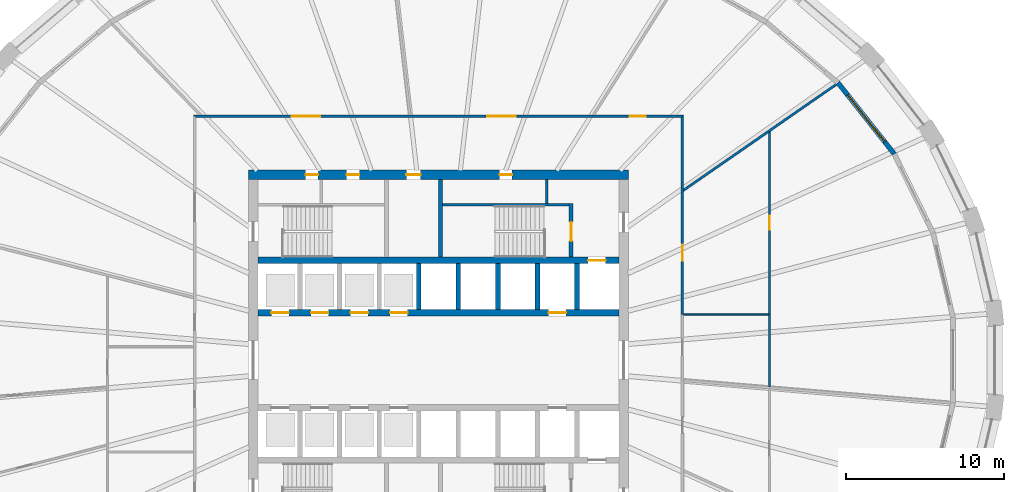
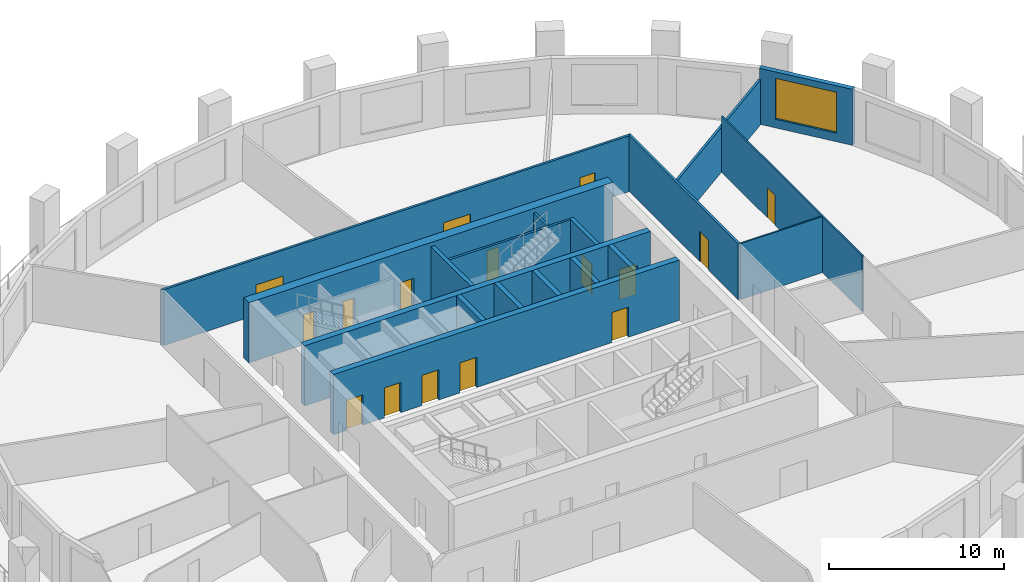
# One storey, part 6 of 10: 18 walls, 16 doors, 1 window, 17 openings.
"""IFC4 building model written with IfcOpenShell, lengths in metres."""

from ifc_helpers import new_model, si_unit, direction, frame, frame_2d, origin, place, context, subcontext, project, spatial, polyline, rectangle, outline, extrude, material, layer, layer_set, type_object, element, fill, save


model = new_model("IFC4")

# Units and contexts
model_context = context("Model", 3, precision=1e-05, world=origin(), true_north=direction((0.0, 1.0)))
body_context = subcontext(model_context, "Body", "Model", "MODEL_VIEW")
ifc_project = project(units=[si_unit("LENGTHUNIT", "METRE"), si_unit("AREAUNIT", "SQUARE_METRE"), si_unit("VOLUMEUNIT", "CUBIC_METRE"), si_unit("PLANEANGLEUNIT", "RADIAN"), si_unit("MASSUNIT", "GRAM", prefix="KILO")], contexts=[model_context])

# Site, building, storey
site_placement = place(None, origin())
site = spatial("IfcSite", under=ifc_project, at=site_placement, CompositionType="ELEMENT")
building_placement = place(site_placement, origin())
building = spatial("IfcBuilding", under=site, at=building_placement, Name="Halqa Exchange Tower", CompositionType="ELEMENT")
storey_placement = place(building_placement, frame((0.0, 0.0, 108.699951171875)))
storey = spatial("IfcBuildingStorey", under=building, at=storey_placement, Name="L24", CompositionType="ELEMENT", Elevation=108.699951171875)

# Wall, openings, doors
ifc_material_1 = material(Name="Fire-rated gypsum board")
ifc_layer_1 = layer(ifc_material_1, 0.14990234375)
ifc_layer_set_1 = layer_set([ifc_layer_1], Name="Fire-rated gypsum board")
wall_type_1 = type_object("IfcWallType", Name="Fire partition EI 60 150", PredefinedType="PARTITIONING", material=ifc_layer_set_1)
wall_1_placement = place(storey_placement, frame((-15.47509765625, 15.39990234375, 0.0), z_axis=(0.0, 0.0, 1.0), x_axis=(1.0, 0.0, 0.0)))
wall_1 = element("IfcWall", 1, at=wall_1_placement, inside=storey, type_object=wall_type_1, Name="L24-PWL-010", PredefinedType="PARTITIONING", context=body_context, shape_type="SweptSolid", body=[
    extrude(outline(polyline([(0.150146484375, -0.074951171875), (2.065673828125, -0.074951171875), (3.9814453125, -0.074951171875), (5.89697265625, -0.074951171875), (7.8125, -0.074951171875), (9.728271484375, -0.074951171875), (11.643798828125, -0.074951171875), (13.5595703125, -0.074951171875), (15.47509765625, -0.074951171875), (17.390625, -0.074951171875), (19.306396484375, -0.074951171875), (21.221923828125, -0.074951171875), (23.1376953125, -0.074951171875), (25.05322265625, -0.074951171875), (26.96875, -0.074951171875), (28.884521484375, -0.074951171875), (30.800048828125, -0.074951171875), (30.949951171875, 0.074951171875), (29.015625, 0.074951171875), (27.081298828125, 0.074951171875), (25.14697265625, 0.074951171875), (23.21240234375, 0.074951171875), (21.278076171875, 0.074951171875), (19.34375, 0.074951171875), (17.409423828125, 0.074951171875), (15.47509765625, 0.074951171875), (13.540771484375, 0.074951171875), (11.6064453125, 0.074951171875), (9.672119140625, 0.074951171875), (7.73779296875, 0.074951171875), (5.80322265625, 0.074951171875), (3.868896484375, 0.074951171875), (1.9345703125, 0.074951171875), (0.000244140625, 0.074951171875), (0.150146484375, -0.074951171875)])), origin(), (0.0, 0.0, 1.0), 3.900146484375),
])
opening_1_placement = place(wall_1_placement, frame((27.544921875, 0.0, 0.0)))
opening_1 = element("IfcOpeningElement", 2, at=opening_1_placement, cuts=wall_1, Name="Opening 07-01", PredefinedType="OPENING", context=body_context, shape_type="SweptSolid", body=[
    extrude(rectangle(XDim=1.0, YDim=2.10009765625, at=frame_2d((0.5, 1.050048828125))), frame((0.0, 0.0869140625, 0.0), z_axis=(0.0, -1.0, 0.0), x_axis=(1.0, 0.0, 0.0)), (0.0, 0.0, 1.0), 0.173828125),
])
opening_2_placement = place(wall_1_placement, frame((18.544921875, 0.0, 0.0)))
opening_2 = element("IfcOpeningElement", 3, at=opening_2_placement, cuts=wall_1, Name="Opening 07-02", PredefinedType="OPENING", context=body_context, shape_type="SweptSolid", body=[
    extrude(rectangle(XDim=1.800048828125, YDim=2.10009765625, at=frame_2d((0.89990234375, 1.050048828125))), frame((0.0, 0.0869140625, 0.0), z_axis=(0.0, -1.0, 0.0), x_axis=(1.0, 0.0, 0.0)), (0.0, 0.0, 1.0), 0.173828125),
])
opening_3_placement = place(wall_1_placement, frame((6.195068359375, 0.0, 0.0)))
opening_3 = element("IfcOpeningElement", 4, at=opening_3_placement, cuts=wall_1, Name="Opening 07-03", PredefinedType="OPENING", context=body_context, shape_type="SweptSolid", body=[
    extrude(rectangle(XDim=1.800048828125, YDim=2.10009765625, at=frame_2d((0.89990234375, 1.050048828125))), frame((0.0, 0.0869140625, 0.0), z_axis=(0.0, -1.0, 0.0), x_axis=(1.0, 0.0, 0.0)), (0.0, 0.0, 1.0), 0.173828125),
])
ifc_material_2 = material(Name="Steel fire door leaf", Category="steel")
door_type_1 = type_object("IfcDoorType", Name="Fire door FD30S 1000 x 2100", OperationType="SINGLE_SWING_LEFT", PredefinedType="DOOR", material=ifc_material_2)
door_1_placement = place(opening_1_placement, origin())
door_1 = element("IfcDoor", 5, at=door_1_placement, inside=storey, type_object=door_type_1, Name="L24-IDR-001", OperationType="SINGLE_SWING_RIGHT", OverallHeight=2.10009765625, OverallWidth=1.0, PredefinedType="DOOR", context=body_context, shape_type="SweptSolid", body=[
    extrude(rectangle(XDim=1.0, YDim=2.10009765625, at=frame_2d((0.5, 1.050048828125))), frame((0.0, 0.02490234375, 0.0), z_axis=(0.0, -1.0, 0.0), x_axis=(1.0, 0.0, 0.0)), (0.0, 0.0, 1.0), 0.050048828125),
])
fill(opening_1, door_1)
door_type_2 = type_object("IfcDoorType", Name="Fire door FD30S double 1800 x 2100", OperationType="DOUBLE_DOOR_SINGLE_SWING", PredefinedType="DOOR", material=ifc_material_2)
door_2_placement = place(opening_2_placement, origin())
door_2 = element("IfcDoor", 6, at=door_2_placement, inside=storey, type_object=door_type_2, Name="L24-IDR-002", OperationType="DOUBLE_DOOR_SINGLE_SWING", OverallHeight=2.10009765625, OverallWidth=1.800048828125, PredefinedType="DOOR", context=body_context, shape_type="SweptSolid", body=[
    extrude(rectangle(XDim=1.800048828125, YDim=2.10009765625, at=frame_2d((0.89990234375, 1.050048828125))), frame((0.0, 0.02490234375, 0.0), z_axis=(0.0, -1.0, 0.0), x_axis=(1.0, 0.0, 0.0)), (0.0, 0.0, 1.0), 0.050048828125),
])
fill(opening_2, door_2)
door_3_placement = place(opening_3_placement, origin())
door_3 = element("IfcDoor", 7, at=door_3_placement, inside=storey, type_object=door_type_2, Name="L24-IDR-003", OperationType="DOUBLE_DOOR_SINGLE_SWING", OverallHeight=2.10009765625, OverallWidth=1.800048828125, PredefinedType="DOOR", context=body_context, shape_type="SweptSolid", body=[
    extrude(rectangle(XDim=1.800048828125, YDim=2.10009765625, at=frame_2d((0.89990234375, 1.050048828125))), frame((0.0, 0.02490234375, 0.0), z_axis=(0.0, -1.0, 0.0), x_axis=(1.0, 0.0, 0.0)), (0.0, 0.0, 1.0), 0.050048828125),
])
fill(opening_3, door_3)

# Wall, opening, door
wall_2_placement = place(storey_placement, frame((15.39990234375, 2.8798828125, 0.0), z_axis=(0.0, 0.0, 1.0), x_axis=(0.0, 1.0, 0.0)))
wall_2 = element("IfcWall", 8, at=wall_2_placement, inside=storey, type_object=wall_type_1, Name="L24-PWL-021", PredefinedType="PARTITIONING", context=body_context, shape_type="SweptSolid", body=[
    extrude(outline(polyline([(0.0, -0.074951171875), (1.79931640625, -0.074951171875), (3.5986328125, -0.074951171875), (5.39794921875, -0.074951171875), (7.197021484375, -0.074951171875), (8.996337890625, -0.074951171875), (10.795654296875, -0.074951171875), (12.594970703125, -0.074951171875), (12.445068359375, 0.074951171875), (10.667236328125, 0.074951171875), (8.889404296875, 0.074951171875), (7.111572265625, 0.074951171875), (5.33349609375, 0.074951171875), (3.5556640625, 0.074951171875), (1.77783203125, 0.074951171875), (0.0, 0.074951171875), (0.0, -0.074951171875)])), origin(), (0.0, 0.0, 1.0), 3.900146484375),
])
opening_4_placement = place(wall_2_placement, frame((3.39990234375, 0.0, 0.0)))
opening_4 = element("IfcOpeningElement", 9, at=opening_4_placement, cuts=wall_2, Name="Opening 07-14", PredefinedType="OPENING", context=body_context, shape_type="SweptSolid", body=[
    extrude(rectangle(XDim=1.0, YDim=2.10009765625, at=frame_2d((0.5, 1.050048828125))), frame((0.0, 0.0869140625, 0.0), z_axis=(0.0, -1.0, 0.0), x_axis=(1.0, 0.0, 0.0)), (0.0, 0.0, 1.0), 0.173828125),
])
door_4_placement = place(opening_4_placement, frame((1.0, 0.0, 0.0), z_axis=(0.0, 0.0, 1.0), x_axis=(-1.0, 0.0, 0.0)))
door_4 = element("IfcDoor", 10, at=door_4_placement, inside=storey, type_object=door_type_1, Name="L24-IDR-014", OperationType="SINGLE_SWING_RIGHT", OverallHeight=2.10009765625, OverallWidth=1.0, PredefinedType="DOOR", context=body_context, shape_type="SweptSolid", body=[
    extrude(rectangle(XDim=1.0, YDim=2.10009765625, at=frame_2d((0.5, 1.050048828125))), frame((0.0, 0.02490234375, 0.0), z_axis=(0.0, -1.0, 0.0), x_axis=(1.0, 0.0, 0.0)), (0.0, 0.0, 1.0), 0.050048828125),
])
fill(opening_4, door_4)

# Walls
wall_3_placement = place(storey_placement, frame((15.4326171875, 10.702392578125, 0.0), z_axis=(0.0, 0.0, 1.0), x_axis=(0.82202509952, 0.569451258458, 0.0)))
element("IfcWall", 11, at=wall_3_placement, inside=storey, type_object=wall_type_1, Name="L24-PWL-023", PredefinedType="PARTITIONING", context=body_context, shape_type="SweptSolid", body=[
    extrude(outline(polyline([(0.0, -0.074951171875), (1.634521484375, -0.074951171875), (3.269287109375, -0.074951171875), (4.90380859375, -0.074951171875), (6.538330078125, -0.074951171875), (6.540283203125, -0.072021484375), (6.54443359375, -0.074951171875), (8.291259765625, -0.074951171875), (10.0380859375, -0.074951171875), (11.784912109375, -0.074951171875), (11.784912109375, -0.071044921875), (11.7802734375, 0.002685546875), (11.7607421875, 0.074951171875), (9.81787109375, 0.074951171875), (7.875, 0.074951171875), (5.93212890625, 0.074951171875), (3.9892578125, 0.074951171875), (2.04638671875, 0.074951171875), (0.103515625, 0.074951171875), (0.0, -0.074462890625), (0.0, -0.074951171875)])), origin(), (0.0, 0.0, 1.0), 3.130126953125),
])
ifc_material_3 = material(Name="Gypsum board")
ifc_layer_2 = layer(ifc_material_3, 0.10009765625)
ifc_layer_set_2 = layer_set([ifc_layer_2], Name="Gypsum board")
wall_type_2 = type_object("IfcWallType", Name="Partition 100 gypsum", PredefinedType="PARTITIONING", material=ifc_layer_set_2)
wall_4_placement = place(storey_placement, frame((15.46044921875, 2.8798828125, 0.0), z_axis=(0.0, 0.0, 1.0), x_axis=(1.0, 0.0, 0.0)))
element("IfcWall", 12, at=wall_4_placement, inside=storey, type_object=wall_type_2, Name="L24-PWL-022", PredefinedType="PARTITIONING", context=body_context, shape_type="SweptSolid", body=[
    extrude(outline(polyline([(0.0, -0.050048828125), (1.796630859375, -0.050048828125), (3.593017578125, -0.050048828125), (5.3896484375, -0.050048828125), (5.3896484375, 0.050048828125), (3.597900390625, 0.050048828125), (1.80615234375, 0.050048828125), (0.0146484375, 0.050048828125), (0.0146484375, 0.0), (0.0, 0.0), (0.0, -0.050048828125)])), origin(), (0.0, 0.0, 1.0), 3.900146484375),
])

# Wall, opening, door
wall_5_placement = place(storey_placement, frame((20.89990234375, -1.66845703125, 0.0), z_axis=(0.0, 0.0, 1.0), x_axis=(0.0, 1.0, 0.0)))
wall_5 = element("IfcWall", 13, at=wall_5_placement, inside=storey, type_object=wall_type_2, Name="L24-PWL-025", PredefinedType="PARTITIONING", context=body_context, shape_type="SweptSolid", body=[
    extrude(outline(polyline([(16.1015625, -0.050048828125), (16.1015625, -0.0498046875), (16.032470703125, 0.050048828125), (14.126708984375, 0.050048828125), (12.22119140625, 0.050048828125), (10.3154296875, 0.050048828125), (8.409912109375, 0.050048828125), (6.504150390625, 0.050048828125), (4.598388671875, 0.050048828125), (4.598388671875, 0.0498046875), (4.49853515625, 0.0498046875), (4.49853515625, 0.050048828125), (3.001708984375, 0.050048828125), (1.505126953125, 0.050048828125), (0.00830078125, 0.050048828125), (0.0, -0.049072265625), (0.0, -0.050048828125), (1.7890625, -0.050048828125), (3.578125, -0.050048828125), (5.3671875, -0.050048828125), (7.15625, -0.050048828125), (8.9453125, -0.050048828125), (10.734375, -0.050048828125), (12.5234375, -0.050048828125), (14.3125, -0.050048828125), (16.1015625, -0.050048828125)])), origin(), (0.0, 0.0, 1.0), 3.900146484375),
])
opening_5_placement = place(wall_5_placement, frame((9.903564453125, 0.0, 0.0)))
opening_5 = element("IfcOpeningElement", 14, at=opening_5_placement, cuts=wall_5, Name="Opening 07-19", PredefinedType="OPENING", context=body_context, shape_type="SweptSolid", body=[
    extrude(rectangle(XDim=0.89990234375, YDim=2.10009765625, at=frame_2d((0.449951171875, 1.050048828125))), frame((0.0, 0.06201171875, 0.0), z_axis=(0.0, -1.0, 0.0), x_axis=(1.0, 0.0, 0.0)), (0.0, 0.0, 1.0), 0.1240234375),
])
ifc_material_4 = material(Name="Timber door leaf", Category="wood")
door_type_3 = type_object("IfcDoorType", Name="Door 900 x 2100", OperationType="SINGLE_SWING_LEFT", PredefinedType="DOOR", material=ifc_material_4)
door_5_placement = place(opening_5_placement, origin())
door_5 = element("IfcDoor", 15, at=door_5_placement, inside=storey, type_object=door_type_3, Name="L24-IDR-019", OperationType="SINGLE_SWING_RIGHT", OverallHeight=2.10009765625, OverallWidth=0.89990234375, PredefinedType="DOOR", context=body_context, shape_type="SweptSolid", body=[
    extrude(rectangle(XDim=0.89990234375, YDim=2.10009765625, at=frame_2d((0.449951171875, 1.050048828125))), frame((0.0, 0.02490234375, 0.0), z_axis=(0.0, -1.0, 0.0), x_axis=(1.0, 0.0, 0.0)), (0.0, 0.0, 1.0), 0.050048828125),
])
fill(opening_5, door_5)

# Walls
ifc_layer_3 = layer(ifc_material_3, 0.14990234375)
ifc_layer_set_3 = layer_set([ifc_layer_3], Name="Gypsum board")
wall_type_3 = type_object("IfcWallType", Name="Penthouse riser wall 150 gypsum", PredefinedType="PARTITIONING", material=ifc_layer_set_3)
wall_6_placement = place(storey_placement, frame((6.824951171875, 9.89990234375, 0.0), z_axis=(0.0, 0.0, 1.0), x_axis=(0.0, 1.0, 0.0)))
element("IfcWall", 16, at=wall_6_placement, inside=storey, type_object=wall_type_3, Name="Firefighting lobby west wall N", PredefinedType="PARTITIONING", context=body_context, shape_type="SweptSolid", body=[
    extrude(rectangle(XDim=1.5, YDim=0.14990234375, at=frame_2d((0.75, 0.0))), origin(), (0.0, 0.0, 1.0), 3.900146484375),
])
ifc_material_5 = material(Name="Concrete C60/75", Category="concrete")
ifc_layer_4 = layer(ifc_material_5, 0.300048828125)
ifc_layer_set_4 = layer_set([ifc_layer_4], Name="Concrete C60/75")
wall_type_4 = type_object("IfcWallType", Name="RC core wall 300", PredefinedType="SHEAR", material=ifc_layer_set_4)
for number, where, z_axis, x_axis, name in (
    (17, (-1.25, 3.199951171875, 0.0), (0.0, 0.0, 1.0), (0.0, 1.0, 0.0), "Shaft divider N4"),
    (18, (1.25, 3.199951171875, 0.0), (0.0, 0.0, 1.0), (0.0, 1.0, 0.0), "Shaft divider N5"),
    (19, (3.75, 3.199951171875, 0.0), (0.0, 0.0, 1.0), (0.0, 1.0, 0.0), "Shaft divider N6"),
    (20, (6.25, 3.199951171875, 0.0), (0.0, 0.0, 1.0), (0.0, 1.0, 0.0), "Shaft divider N7"),
    (21, (8.75, 3.199951171875, 0.0), (0.0, 0.0, 1.0), (0.0, 1.0, 0.0), "Shaft divider N8"),
):
    element("IfcWall", number, at=place(storey_placement, frame(where, z_axis=z_axis, x_axis=x_axis)), inside=storey, type_object=wall_type_4, Name=name, PredefinedType="SHEAR", context=body_context, shape_type="SweptSolid", body=[
        extrude(rectangle(XDim=2.900146484375, YDim=0.300048828125, at=frame_2d((1.4501953125, 0.0))), origin(), (0.0, 0.0, 1.0), 4.199951171875),
    ])

# Wall, openings, doors
ifc_material_6 = material(Name="Concrete C70/85", Category="concrete")
ifc_layer_5 = layer(ifc_material_6, 0.39990234375)
ifc_layer_set_5 = layer_set([ifc_layer_5], Name="Concrete C70/85")
wall_type_5 = type_object("IfcWallType", Name="RC core wall 400 C70/85", PredefinedType="SHEAR", material=ifc_layer_set_5)
wall_7_placement = place(storey_placement, frame((-11.39990234375, 3.0, 0.0), z_axis=(0.0, 0.0, 1.0), x_axis=(1.0, 0.0, 0.0)))
wall_7 = element("IfcWall", 22, at=wall_7_placement, inside=storey, type_object=wall_type_5, Name="Lift row front wall N", PredefinedType="SHEAR", context=body_context, shape_type="SweptSolid", body=[
    extrude(rectangle(XDim=22.7998046875, YDim=0.39990234375, at=frame_2d((11.39990234375, 0.0))), origin(), (0.0, 0.0, 1.0), 4.199951171875),
])
opening_6_placement = place(wall_7_placement, frame((0.85009765625, 0.0, 0.0)))
opening_6 = element("IfcOpeningElement", 23, at=opening_6_placement, cuts=wall_7, Name="Opening LD-LR1-T07", PredefinedType="OPENING", context=body_context, shape_type="SweptSolid", body=[
    extrude(rectangle(XDim=1.10009765625, YDim=2.10009765625, at=frame_2d((0.550048828125, 1.050048828125))), frame((0.0, 0.2119140625, 0.0), z_axis=(0.0, -1.0, 0.0), x_axis=(1.0, 0.0, 0.0)), (0.0, 0.0, 1.0), 0.423828125),
])
opening_7_placement = place(wall_7_placement, frame((3.35009765625, 0.0, 0.0)))
opening_7 = element("IfcOpeningElement", 24, at=opening_7_placement, cuts=wall_7, Name="Opening LD-LR2-T07", PredefinedType="OPENING", context=body_context, shape_type="SweptSolid", body=[
    extrude(rectangle(XDim=1.10009765625, YDim=2.10009765625, at=frame_2d((0.550048828125, 1.050048828125))), frame((0.0, 0.2119140625, 0.0), z_axis=(0.0, -1.0, 0.0), x_axis=(1.0, 0.0, 0.0)), (0.0, 0.0, 1.0), 0.423828125),
])
opening_8_placement = place(wall_7_placement, frame((5.85009765625, 0.0, 0.0)))
opening_8 = element("IfcOpeningElement", 25, at=opening_8_placement, cuts=wall_7, Name="Opening LD-LR3-T07", PredefinedType="OPENING", context=body_context, shape_type="SweptSolid", body=[
    extrude(rectangle(XDim=1.10009765625, YDim=2.10009765625, at=frame_2d((0.550048828125, 1.050048828125))), frame((0.0, 0.2119140625, 0.0), z_axis=(0.0, -1.0, 0.0), x_axis=(1.0, 0.0, 0.0)), (0.0, 0.0, 1.0), 0.423828125),
])
opening_9_placement = place(wall_7_placement, frame((8.35009765625, 0.0, 0.0)))
opening_9 = element("IfcOpeningElement", 26, at=opening_9_placement, cuts=wall_7, Name="Opening LD-LR4-T07", PredefinedType="OPENING", context=body_context, shape_type="SweptSolid", body=[
    extrude(rectangle(XDim=1.10009765625, YDim=2.10009765625, at=frame_2d((0.550048828125, 1.050048828125))), frame((0.0, 0.2119140625, 0.0), z_axis=(0.0, -1.0, 0.0), x_axis=(1.0, 0.0, 0.0)), (0.0, 0.0, 1.0), 0.423828125),
])
opening_10_placement = place(wall_7_placement, frame((18.35009765625, 0.0, 0.0)))
opening_10 = element("IfcOpeningElement", 27, at=opening_10_placement, cuts=wall_7, Name="Opening LD-SV1-T07", PredefinedType="OPENING", context=body_context, shape_type="SweptSolid", body=[
    extrude(rectangle(XDim=1.10009765625, YDim=2.10009765625, at=frame_2d((0.550048828125, 1.050048828125))), frame((0.0, 0.2119140625, 0.0), z_axis=(0.0, -1.0, 0.0), x_axis=(1.0, 0.0, 0.0)), (0.0, 0.0, 1.0), 0.423828125),
])
ifc_material_7 = material(Name="Stainless steel", Category="steel")
door_type_4 = type_object("IfcDoorType", Name="Lift landing door 1100 x 2100", OperationType="SLIDING_TO_LEFT", PredefinedType="DOOR", material=ifc_material_7)
door_6_placement = place(opening_6_placement, origin())
door_6 = element("IfcDoor", 28, at=door_6_placement, inside=storey, type_object=door_type_4, Name="Lift landing door LR1", OperationType="SLIDING_TO_LEFT", OverallHeight=2.10009765625, OverallWidth=1.10009765625, PredefinedType="DOOR", context=body_context, shape_type="SweptSolid", body=[
    extrude(rectangle(XDim=1.10009765625, YDim=2.10009765625, at=frame_2d((0.550048828125, 1.050048828125))), frame((0.0, 0.02490234375, 0.0), z_axis=(0.0, -1.0, 0.0), x_axis=(1.0, 0.0, 0.0)), (0.0, 0.0, 1.0), 0.050048828125),
])
fill(opening_6, door_6)
door_7_placement = place(opening_7_placement, origin())
door_7 = element("IfcDoor", 29, at=door_7_placement, inside=storey, type_object=door_type_4, Name="Lift landing door LR2", OperationType="SLIDING_TO_LEFT", OverallHeight=2.10009765625, OverallWidth=1.10009765625, PredefinedType="DOOR", context=body_context, shape_type="SweptSolid", body=[
    extrude(rectangle(XDim=1.10009765625, YDim=2.10009765625, at=frame_2d((0.550048828125, 1.050048828125))), frame((0.0, 0.02490234375, 0.0), z_axis=(0.0, -1.0, 0.0), x_axis=(1.0, 0.0, 0.0)), (0.0, 0.0, 1.0), 0.050048828125),
])
fill(opening_7, door_7)
door_8_placement = place(opening_8_placement, origin())
door_8 = element("IfcDoor", 30, at=door_8_placement, inside=storey, type_object=door_type_4, Name="Lift landing door LR3", OperationType="SLIDING_TO_LEFT", OverallHeight=2.10009765625, OverallWidth=1.10009765625, PredefinedType="DOOR", context=body_context, shape_type="SweptSolid", body=[
    extrude(rectangle(XDim=1.10009765625, YDim=2.10009765625, at=frame_2d((0.550048828125, 1.050048828125))), frame((0.0, 0.02490234375, 0.0), z_axis=(0.0, -1.0, 0.0), x_axis=(1.0, 0.0, 0.0)), (0.0, 0.0, 1.0), 0.050048828125),
])
fill(opening_8, door_8)
door_9_placement = place(opening_9_placement, origin())
door_9 = element("IfcDoor", 31, at=door_9_placement, inside=storey, type_object=door_type_4, Name="Lift landing door LR4", OperationType="SLIDING_TO_LEFT", OverallHeight=2.10009765625, OverallWidth=1.10009765625, PredefinedType="DOOR", context=body_context, shape_type="SweptSolid", body=[
    extrude(rectangle(XDim=1.10009765625, YDim=2.10009765625, at=frame_2d((0.550048828125, 1.050048828125))), frame((0.0, 0.02490234375, 0.0), z_axis=(0.0, -1.0, 0.0), x_axis=(1.0, 0.0, 0.0)), (0.0, 0.0, 1.0), 0.050048828125),
])
fill(opening_9, door_9)
door_10_placement = place(opening_10_placement, origin())
door_10 = element("IfcDoor", 32, at=door_10_placement, inside=storey, type_object=door_type_4, Name="Lift landing door SV1", OperationType="SLIDING_TO_LEFT", OverallHeight=2.10009765625, OverallWidth=1.10009765625, PredefinedType="DOOR", context=body_context, shape_type="SweptSolid", body=[
    extrude(rectangle(XDim=1.10009765625, YDim=2.10009765625, at=frame_2d((0.550048828125, 1.050048828125))), frame((0.0, 0.02490234375, 0.0), z_axis=(0.0, -1.0, 0.0), x_axis=(1.0, 0.0, 0.0)), (0.0, 0.0, 1.0), 0.050048828125),
])
fill(opening_10, door_10)

# Wall, opening, door
wall_8_placement = place(storey_placement, frame((-11.39990234375, 6.300048828125, 0.0), z_axis=(0.0, 0.0, 1.0), x_axis=(1.0, 0.0, 0.0)))
wall_8 = element("IfcWall", 33, at=wall_8_placement, inside=storey, type_object=wall_type_5, Name="Lift row back wall N", PredefinedType="SHEAR", context=body_context, shape_type="SweptSolid", body=[
    extrude(rectangle(XDim=22.7998046875, YDim=0.39990234375, at=frame_2d((11.39990234375, 0.0))), origin(), (0.0, 0.0, 1.0), 4.199951171875),
])
opening_11_placement = place(wall_8_placement, frame((20.85009765625, 0.0, 0.0)))
opening_11 = element("IfcOpeningElement", 34, at=opening_11_placement, cuts=wall_8, Name="Opening LD-FF1-T07", PredefinedType="OPENING", context=body_context, shape_type="SweptSolid", body=[
    extrude(rectangle(XDim=1.10009765625, YDim=2.10009765625, at=frame_2d((0.550048828125, 1.050048828125))), frame((0.0, 0.2119140625, 0.0), z_axis=(0.0, -1.0, 0.0), x_axis=(1.0, 0.0, 0.0)), (0.0, 0.0, 1.0), 0.423828125),
])
door_11_placement = place(opening_11_placement, origin())
door_11 = element("IfcDoor", 35, at=door_11_placement, inside=storey, type_object=door_type_4, Name="Lift landing door FF1", OperationType="SLIDING_TO_LEFT", OverallHeight=2.10009765625, OverallWidth=1.10009765625, PredefinedType="DOOR", context=body_context, shape_type="SweptSolid", body=[
    extrude(rectangle(XDim=1.10009765625, YDim=2.10009765625, at=frame_2d((0.550048828125, 1.050048828125))), frame((0.0, 0.02490234375, 0.0), z_axis=(0.0, -1.0, 0.0), x_axis=(1.0, 0.0, 0.0)), (0.0, 0.0, 1.0), 0.050048828125),
])
fill(opening_11, door_11)

# Wall, openings, doors
ifc_layer_6 = layer(ifc_material_6, 0.60009765625)
ifc_layer_set_6 = layer_set([ifc_layer_6], Name="Concrete C70/85")
wall_type_6 = type_object("IfcWallType", Name="RC core wall 600 C70/85", PredefinedType="SHEAR", material=ifc_layer_set_6)
wall_9_placement = place(storey_placement, frame((-12.0, 11.699951171875, 0.0), z_axis=(0.0, 0.0, 1.0), x_axis=(1.0, 0.0, 0.0)))
wall_9 = element("IfcWall", 36, at=wall_9_placement, inside=storey, type_object=wall_type_6, Name="Core wall north", PredefinedType="SHEAR", context=body_context, shape_type="SweptSolid", body=[
    extrude(rectangle(XDim=24.0, YDim=0.60009765625, at=frame_2d((12.0, 0.0))), origin(), (0.0, 0.0, 1.0), 4.199951171875),
])
opening_12_placement = place(wall_9_placement, frame((9.97509765625, 0.0, 0.0)))
opening_12 = element("IfcOpeningElement", 37, at=opening_12_placement, cuts=wall_9, Name="Opening T07-C21", PredefinedType="OPENING", context=body_context, shape_type="SweptSolid", body=[
    extrude(rectangle(XDim=0.89990234375, YDim=2.10009765625, at=frame_2d((0.449951171875, 1.050048828125))), frame((0.0, 0.31201171875, 0.0), z_axis=(0.0, -1.0, 0.0), x_axis=(1.0, 0.0, 0.0)), (0.0, 0.0, 1.0), 0.6240234375),
])
opening_13_placement = place(wall_9_placement, frame((3.60009765625, 0.0, 0.0)))
opening_13 = element("IfcOpeningElement", 38, at=opening_13_placement, cuts=wall_9, Name="Opening T07-C22", PredefinedType="OPENING", context=body_context, shape_type="SweptSolid", body=[
    extrude(rectangle(XDim=0.800048828125, YDim=2.10009765625, at=frame_2d((0.39990234375, 1.050048828125))), frame((0.0, 0.31201171875, 0.0), z_axis=(0.0, -1.0, 0.0), x_axis=(1.0, 0.0, 0.0)), (0.0, 0.0, 1.0), 0.6240234375),
])
opening_14_placement = place(wall_9_placement, frame((6.199951171875, 0.0, 0.0)))
opening_14 = element("IfcOpeningElement", 39, at=opening_14_placement, cuts=wall_9, Name="Opening T07-C23", PredefinedType="OPENING", context=body_context, shape_type="SweptSolid", body=[
    extrude(rectangle(XDim=0.800048828125, YDim=2.10009765625, at=frame_2d((0.39990234375, 1.050048828125))), frame((0.0, 0.31201171875, 0.0), z_axis=(0.0, -1.0, 0.0), x_axis=(1.0, 0.0, 0.0)), (0.0, 0.0, 1.0), 0.6240234375),
])
opening_15_placement = place(wall_9_placement, frame((15.85009765625, 0.0, 0.0)))
opening_15 = element("IfcOpeningElement", 40, at=opening_15_placement, cuts=wall_9, Name="Opening T07-C24", PredefinedType="OPENING", context=body_context, shape_type="SweptSolid", body=[
    extrude(rectangle(XDim=0.800048828125, YDim=2.10009765625, at=frame_2d((0.39990234375, 1.050048828125))), frame((0.0, 0.31201171875, 0.0), z_axis=(0.0, -1.0, 0.0), x_axis=(1.0, 0.0, 0.0)), (0.0, 0.0, 1.0), 0.6240234375),
])
ifc_material_8 = material(Name="Timber fire door leaf", Category="wood")
door_type_5 = type_object("IfcDoorType", Name="Core room door FD30 900 x 2100", OperationType="SINGLE_SWING_LEFT", PredefinedType="DOOR", material=ifc_material_8)
door_12_placement = place(opening_12_placement, frame((0.89990234375, 0.0, 0.0), z_axis=(0.0, 0.0, 1.0), x_axis=(-1.0, 0.0, 0.0)))
door_12 = element("IfcDoor", 41, at=door_12_placement, inside=storey, type_object=door_type_5, Name="Core room door", OperationType="SINGLE_SWING_LEFT", OverallHeight=2.10009765625, OverallWidth=0.89990234375, PredefinedType="DOOR", context=body_context, shape_type="SweptSolid", body=[
    extrude(rectangle(XDim=0.89990234375, YDim=2.10009765625, at=frame_2d((0.449951171875, 1.050048828125))), frame((0.0, 0.02490234375, 0.0), z_axis=(0.0, -1.0, 0.0), x_axis=(1.0, 0.0, 0.0)), (0.0, 0.0, 1.0), 0.050048828125),
])
fill(opening_12, door_12)
door_type_6 = type_object("IfcDoorType", Name="Riser door FD60 800 x 2100", OperationType="SINGLE_SWING_LEFT", PredefinedType="DOOR", material=ifc_material_2)
door_13_placement = place(opening_13_placement, frame((0.800048828125, 0.0, 0.0), z_axis=(0.0, 0.0, 1.0), x_axis=(-1.0, 0.0, 0.0)))
door_13 = element("IfcDoor", 42, at=door_13_placement, inside=storey, type_object=door_type_6, Name="Core room door", OperationType="SINGLE_SWING_RIGHT", OverallHeight=2.10009765625, OverallWidth=0.800048828125, PredefinedType="DOOR", context=body_context, shape_type="SweptSolid", body=[
    extrude(rectangle(XDim=0.800048828125, YDim=2.10009765625, at=frame_2d((0.39990234375, 1.050048828125))), frame((0.0, 0.02490234375, 0.0), z_axis=(0.0, -1.0, 0.0), x_axis=(1.0, 0.0, 0.0)), (0.0, 0.0, 1.0), 0.050048828125),
])
fill(opening_13, door_13)
door_14_placement = place(opening_14_placement, frame((0.800048828125, 0.0, 0.0), z_axis=(0.0, 0.0, 1.0), x_axis=(-1.0, 0.0, 0.0)))
door_14 = element("IfcDoor", 43, at=door_14_placement, inside=storey, type_object=door_type_6, Name="Core room door", OperationType="SINGLE_SWING_LEFT", OverallHeight=2.10009765625, OverallWidth=0.800048828125, PredefinedType="DOOR", context=body_context, shape_type="SweptSolid", body=[
    extrude(rectangle(XDim=0.800048828125, YDim=2.10009765625, at=frame_2d((0.39990234375, 1.050048828125))), frame((0.0, 0.02490234375, 0.0), z_axis=(0.0, -1.0, 0.0), x_axis=(1.0, 0.0, 0.0)), (0.0, 0.0, 1.0), 0.050048828125),
])
fill(opening_14, door_14)
door_15_placement = place(opening_15_placement, frame((0.800048828125, 0.0, 0.0), z_axis=(0.0, 0.0, 1.0), x_axis=(-1.0, 0.0, 0.0)))
door_15 = element("IfcDoor", 44, at=door_15_placement, inside=storey, type_object=door_type_6, Name="Core room door", OperationType="SINGLE_SWING_RIGHT", OverallHeight=2.10009765625, OverallWidth=0.800048828125, PredefinedType="DOOR", context=body_context, shape_type="SweptSolid", body=[
    extrude(rectangle(XDim=0.800048828125, YDim=2.10009765625, at=frame_2d((0.39990234375, 1.050048828125))), frame((0.0, 0.02490234375, 0.0), z_axis=(0.0, -1.0, 0.0), x_axis=(1.0, 0.0, 0.0)), (0.0, 0.0, 1.0), 0.050048828125),
])
fill(opening_15, door_15)

# Walls
ifc_material_9 = material(Name="Concrete C30/37", Category="concrete")
ifc_layer_7 = layer(ifc_material_9, 0.14990234375)
ifc_layer_set_7 = layer_set([ifc_layer_7], Name="Concrete C30/37")
wall_type_7 = type_object("IfcWallType", Name="RC stair wall 150 C30/37", PredefinedType="SHEAR", material=ifc_layer_set_7)
wall_10_placement = place(storey_placement, frame((0.25, 9.824951171875, 0.0), z_axis=(0.0, 0.0, 1.0), x_axis=(1.0, 0.0, 0.0)))
element("IfcWall", 45, at=wall_10_placement, inside=storey, type_object=wall_type_7, Name="Stair ST2 north wall N", PredefinedType="SHEAR", context=body_context, shape_type="SweptSolid", body=[
    extrude(rectangle(XDim=8.0, YDim=0.14990234375, at=frame_2d((4.0, 0.0))), origin(), (0.0, 0.0, 1.0), 3.900146484375),
])
ifc_layer_8 = layer(ifc_material_9, 0.25)
ifc_layer_set_8 = layer_set([ifc_layer_8], Name="Concrete C30/37")
wall_type_8 = type_object("IfcWallType", Name="RC stair wall 250 C30/37", PredefinedType="SHEAR", material=ifc_layer_set_8)
wall_11_placement = place(storey_placement, frame((0.125, 6.5, 0.0), z_axis=(0.0, 0.0, 1.0), x_axis=(0.0, 1.0, 0.0)))
element("IfcWall", 46, at=wall_11_placement, inside=storey, type_object=wall_type_8, Name="Stair ST2 west wall N", PredefinedType="SHEAR", context=body_context, shape_type="SweptSolid", body=[
    extrude(rectangle(XDim=4.89990234375, YDim=0.25, at=frame_2d((2.449951171875, 0.0))), origin(), (0.0, 0.0, 1.0), 3.900146484375),
])

# Wall, opening, door
wall_12_placement = place(storey_placement, frame((8.375, 6.5, 0.0), z_axis=(0.0, 0.0, 1.0), x_axis=(0.0, 1.0, 0.0)))
wall_12 = element("IfcWall", 47, at=wall_12_placement, inside=storey, type_object=wall_type_8, Name="Stair ST2 east wall N", PredefinedType="SHEAR", context=body_context, shape_type="SweptSolid", body=[
    extrude(rectangle(XDim=3.39990234375, YDim=0.25, at=frame_2d((1.699951171875, 0.0))), origin(), (0.0, 0.0, 1.0), 3.900146484375),
])
opening_16_placement = place(wall_12_placement, frame((1.02490234375, 0.0, 0.0)))
opening_16 = element("IfcOpeningElement", 48, at=opening_16_placement, cuts=wall_12, Name="Opening T07-C16", PredefinedType="OPENING", context=body_context, shape_type="SweptSolid", body=[
    extrude(rectangle(XDim=1.199951171875, YDim=2.10009765625, at=frame_2d((0.60009765625, 1.050048828125))), frame((0.0, 0.136962890625, 0.0), z_axis=(0.0, -1.0, 0.0), x_axis=(1.0, 0.0, 0.0)), (0.0, 0.0, 1.0), 0.27392578125),
])
door_type_7 = type_object("IfcDoorType", Name="Stair door FD90 1200 x 2100", OperationType="SINGLE_SWING_LEFT", PredefinedType="DOOR", material=ifc_material_2)
door_16_placement = place(opening_16_placement, origin())
door_16 = element("IfcDoor", 49, at=door_16_placement, inside=storey, type_object=door_type_7, Name="Stair door ST2", OperationType="SINGLE_SWING_RIGHT", OverallHeight=2.10009765625, OverallWidth=1.199951171875, PredefinedType="DOOR", context=body_context, shape_type="SweptSolid", body=[
    extrude(rectangle(XDim=1.199951171875, YDim=2.10009765625, at=frame_2d((0.60009765625, 1.050048828125))), frame((0.0, 0.02490234375, 0.0), z_axis=(0.0, -1.0, 0.0), x_axis=(1.0, 0.0, 0.0)), (0.0, 0.0, 1.0), 0.050048828125),
])
fill(opening_16, door_16)

# Wall, opening, window
ifc_material_10 = material(Name="Limestone cladding", Category="masonry")
ifc_layer_9 = layer(ifc_material_10, 0.0400390625)
ifc_material_11 = material(Name="Ventilated cavity")
ifc_layer_10 = layer(ifc_material_11, 0.030029296875, ventilated=True)
ifc_material_12 = material(Name="Mineral wool insulation")
ifc_layer_11 = layer(ifc_material_12, 0.10009765625)
ifc_layer_12 = layer(ifc_material_9, 0.10009765625)
ifc_material_13 = material(Name="Internal plaster")
ifc_layer_13 = layer(ifc_material_13, 0.030029296875)
ifc_layer_set_9 = layer_set([ifc_layer_9, ifc_layer_10, ifc_layer_11, ifc_layer_12, ifc_layer_13], Name="Stone-faced insulated wall 300")
wall_type_9 = type_object("IfcWallType", Name="Stone-faced insulated wall 300", PredefinedType="STANDARD", material=ifc_layer_set_9)
wall_13_placement = place(storey_placement, frame((28.78076171875, 13.019287109375, 0.0), z_axis=(0.0, 0.0, 1.0), x_axis=(-0.620329992039, 0.784340934146, 0.0)))
wall_13 = element("IfcWall", 50, at=wall_13_placement, inside=storey, type_object=wall_type_9, Name="Glass-line wall 3", PredefinedType="STANDARD", context=body_context, shape_type="SweptSolid", body=[
    extrude(outline(polyline([(-0.01611328125, -0.14990234375), (5.75048828125, -0.14990234375), (5.72021484375, 0.14990234375), (0.01611328125, 0.14990234375), (-0.01611328125, -0.14990234375)])), origin(), (0.0, 0.0, 1.0), 3.900146484375),
])
opening_17_placement = place(wall_13_placement, frame((0.99267578125, 0.0, 0.60009765625)))
opening_17 = element("IfcOpeningElement", 51, at=opening_17_placement, cuts=wall_13, Name="Opening W-F2-03", PredefinedType="OPENING", context=body_context, shape_type="SweptSolid", body=[
    extrude(rectangle(XDim=3.75, YDim=2.85009765625, at=frame_2d((1.875, 1.425048828125))), frame((0.0, 0.162109375, 0.0), z_axis=(0.0, -1.0, 0.0), x_axis=(1.0, 0.0, 0.0)), (0.0, 0.0, 1.0), 0.323974609375),
])
ifc_material_14 = material(Name="Clear low-emissivity glass in aluminium frame", Category="aluminium")
window_type = type_object("IfcWindowType", Name="Fixed clear glazed window 3750 x 2850", PartitioningType="TRIPLE_PANEL_VERTICAL", PredefinedType="WINDOW", material=ifc_material_14)
window_placement = place(opening_17_placement, origin())
window = element("IfcWindow", 52, at=window_placement, inside=storey, type_object=window_type, Name="Window 2", OverallHeight=2.85009765625, OverallWidth=3.75, PartitioningType="TRIPLE_PANEL_VERTICAL", PredefinedType="WINDOW", context=body_context, shape_type="SweptSolid", body=[
    extrude(rectangle(XDim=3.75, YDim=2.85009765625, at=frame_2d((1.875, 1.425048828125))), frame((0.0, 0.030029296875, 0.0), z_axis=(0.0, -1.0, 0.0), x_axis=(1.0, 0.0, 0.0)), (0.0, 0.0, 1.0), 0.06005859375),
])
fill(opening_17, window)

save(model, "model.ifc")
